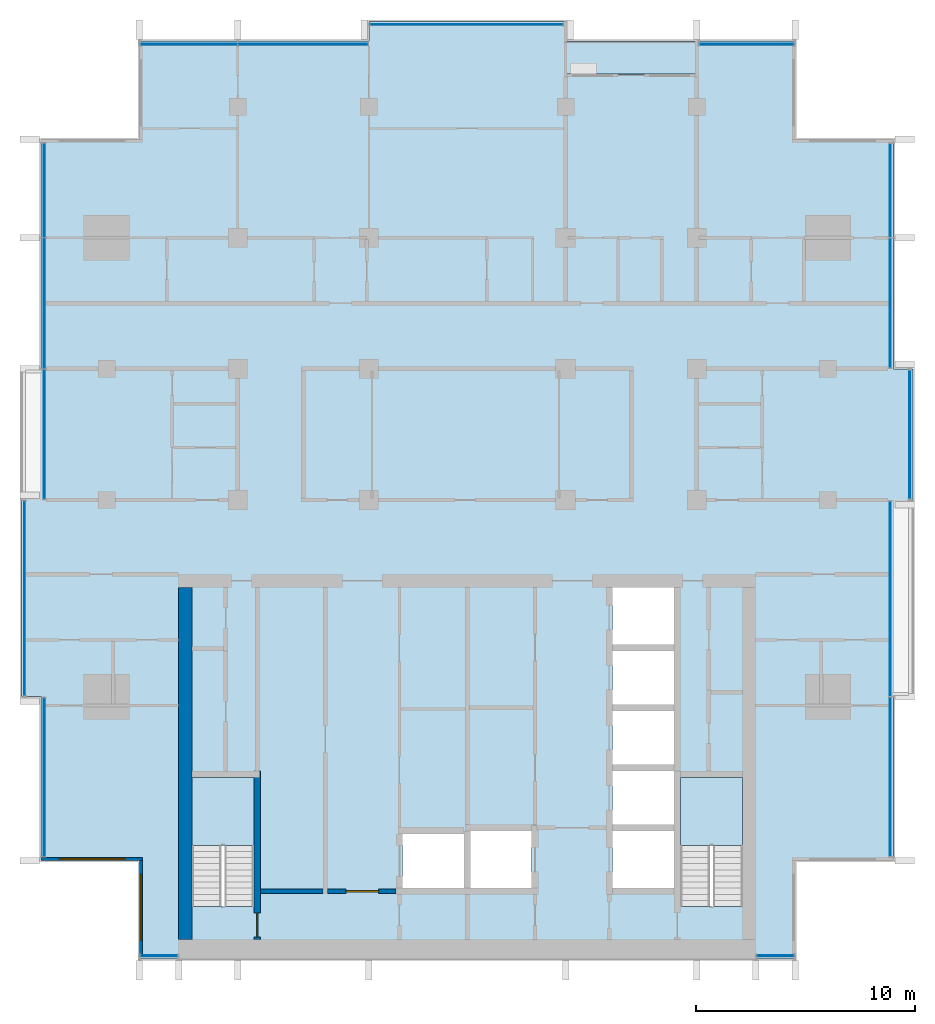
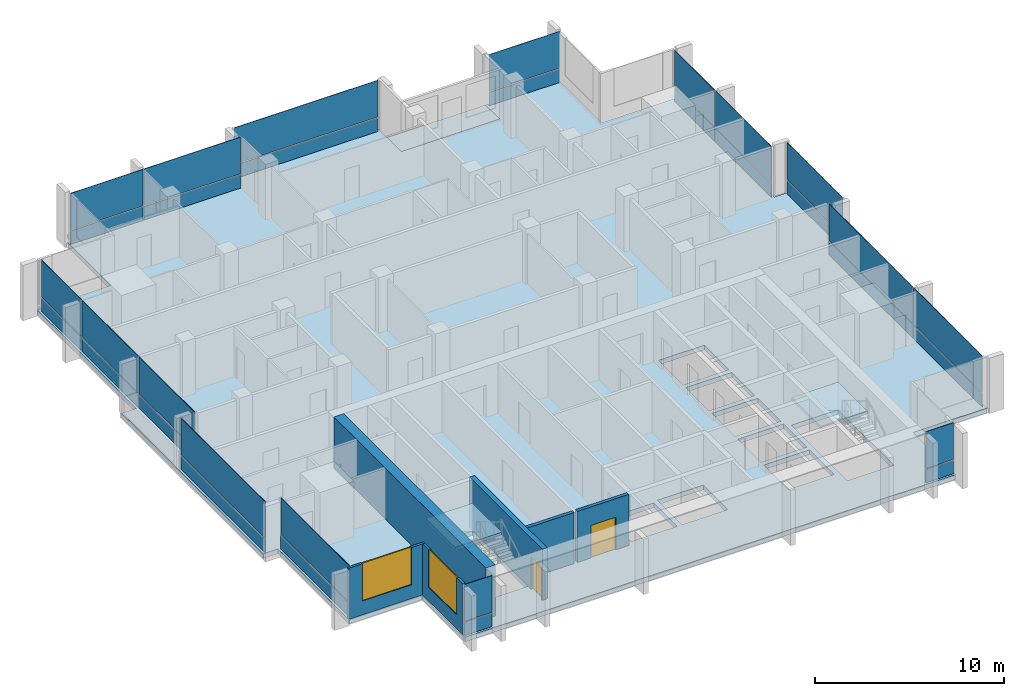
# One storey, part 6 of 16: 32 plates, 6 walls, 4 slabs, 2 doors, 2 windows, 4 openings, 13 elements without a shape of their own.
"""IFC4 building model written with IfcOpenShell, lengths in metres."""

from ifc_helpers import new_model, si_unit, direction, frame, frame_2d, origin, origin_2d, place, context, subcontext, project, spatial, polyline, rectangle, outline, extrude, material, layer, layer_set, type_object, element, fill, aggregate, save


model = new_model("IFC4")

# Units and contexts
model_context = context("Model", 3, precision=1e-05, world=origin(), true_north=direction((0.0, 1.0)))
body_context = subcontext(model_context, "Body", "Model", "MODEL_VIEW")
ifc_project = project(units=[si_unit("LENGTHUNIT", "METRE"), si_unit("AREAUNIT", "SQUARE_METRE"), si_unit("VOLUMEUNIT", "CUBIC_METRE"), si_unit("PLANEANGLEUNIT", "RADIAN"), si_unit("MASSUNIT", "GRAM", prefix="KILO")], contexts=[model_context])

# Site, building, storey
site_placement = place(None, origin())
site = spatial("IfcSite", under=ifc_project, at=site_placement, CompositionType="ELEMENT")
building_placement = place(site_placement, origin())
building = spatial("IfcBuilding", under=site, at=building_placement, Name="Finial Court Residences", CompositionType="ELEMENT")
storey_placement = place(building_placement, frame((0.0, 0.0, 241.10009765625)))
storey = spatial("IfcBuildingStorey", under=building, at=storey_placement, Name="L61", CompositionType="ELEMENT", Elevation=241.10009765625)

# Slab
ifc_material_1 = material(Name="Concrete C35/45", Category="concrete")
ifc_layer_1 = layer(ifc_material_1, 0.199951171875)
ifc_layer_set_1 = layer_set([ifc_layer_1], Name="Balcony slab, Concrete C35/45 200")
slab_type_1 = type_object("IfcSlabType", Name="Balcony slab, Concrete C35/45 200", PredefinedType="FLOOR", material=ifc_layer_set_1)
slab_1_placement = place(storey_placement, frame((0.0, 0.0, -0.2001953125)))
element("IfcSlab", 1, at=slab_1_placement, inside=storey, type_object=slab_type_1, Name="Balcony L61-N4", PredefinedType="FLOOR", context=body_context, shape_type="SweptSolid", body=[
    extrude(outline(polyline([(10.5, 15.0), (10.5, 16.5), (4.5, 16.5), (4.5, 15.0), (10.5, 15.0)])), origin(), (0.0, 0.0, 1.0), 0.2001953125),
])

# Curtain wall, plates
ifc_material_2 = material(Name="Bronze anodised aluminium", Category="aluminium")
curtain_wall_type = type_object("IfcCurtainWallType", Name="Unitised curtain wall, upper zones", PredefinedType="NOTDEFINED", material=ifc_material_2)
curtain_wall_1_placement = place(storey_placement, origin())
curtain_wall_1 = element("IfcCurtainWall", 2, at=curtain_wall_1_placement, inside=storey, type_object=curtain_wall_type, Name="E-L61-CW-N1", PredefinedType="NOTDEFINED")
ifc_layer_2 = layer(ifc_material_2, 0.035888671875)
ifc_layer_set_2 = layer_set([ifc_layer_2], Name="CW2 spandrel panel 36")
plate_type_1 = type_object("IfcPlateType", Name="CW2 spandrel panel 36", PredefinedType="CURTAIN_PANEL", material=ifc_layer_set_2)
plate_1_placement = place(storey_placement, frame((-12.735107421875, 16.35009765625, -0.000244140625), z_axis=(0.0, 0.0, 1.0), x_axis=(1.0, 0.0, 0.0)))
plate_1 = element("IfcPlate", 3, at=plate_1_placement, type_object=plate_type_1, Name="CW2 spandrel 1.1", PredefinedType="CURTAIN_PANEL", context=body_context, shape_type="SweptSolid", body=[
    extrude(rectangle(XDim=4.409912109375, YDim=0.035888671875, at=origin_2d()), origin(), (0.0, 0.0, 1.0), 0.8701171875),
])
plate_2_placement = place(storey_placement, frame((-7.514892578125, 16.35009765625, -0.000244140625), z_axis=(0.0, 0.0, 1.0), x_axis=(1.0, 0.0, 0.0)))
plate_2 = element("IfcPlate", 4, at=plate_2_placement, type_object=plate_type_1, Name="CW2 spandrel 2.1", PredefinedType="CURTAIN_PANEL", context=body_context, shape_type="SweptSolid", body=[
    extrude(rectangle(XDim=5.909912109375, YDim=0.035888671875, at=origin_2d()), origin(), (0.0, 0.0, 1.0), 0.8701171875),
])

# Curtain wall, plate
curtain_wall_2_placement = place(storey_placement, origin())
curtain_wall_2 = element("IfcCurtainWall", 5, at=curtain_wall_2_placement, inside=storey, type_object=curtain_wall_type, Name="E-L61-CW-N2", PredefinedType="NOTDEFINED")
plate_3_placement = place(storey_placement, frame((-0.03759765625, 17.25, -0.000244140625), z_axis=(0.0, 0.0, 1.0), x_axis=(1.0, 0.0, 0.0)))
plate_3 = element("IfcPlate", 6, at=plate_3_placement, type_object=plate_type_1, Name="CW2 spandrel 1.1", PredefinedType="CURTAIN_PANEL", context=body_context, shape_type="SweptSolid", body=[
    extrude(rectangle(XDim=8.804931640625, YDim=0.035888671875, at=origin_2d()), origin(), (0.0, 0.0, 1.0), 0.8701171875),
])

curtain_wall_3_placement = place(storey_placement, origin())
curtain_wall_3 = element("IfcCurtainWall", 7, at=curtain_wall_3_placement, inside=storey, type_object=curtain_wall_type, Name="E-L61-CW-N3", PredefinedType="NOTDEFINED")
plate_4_placement = place(storey_placement, frame((12.78759765625, 16.35009765625, -0.000244140625), z_axis=(0.0, 0.0, 1.0), x_axis=(1.0, 0.0, 0.0)))
plate_4 = element("IfcPlate", 8, at=plate_4_placement, type_object=plate_type_1, Name="CW2 spandrel 1.1", PredefinedType="CURTAIN_PANEL", context=body_context, shape_type="SweptSolid", body=[
    extrude(rectangle(XDim=4.304931640625, YDim=0.035888671875, at=origin_2d()), origin(), (0.0, 0.0, 1.0), 0.8701171875),
])

# Curtain wall, plates
curtain_wall_4_placement = place(storey_placement, origin())
curtain_wall_4 = element("IfcCurtainWall", 9, at=curtain_wall_4_placement, inside=storey, type_object=curtain_wall_type, Name="E-L61-CW-E4", PredefinedType="NOTDEFINED")
plate_5_placement = place(storey_placement, frame((19.35009765625, -17.159912109375, -0.000244140625), z_axis=(0.0, 0.0, 1.0), x_axis=(0.0, 1.0, 0.0)))
plate_5 = element("IfcPlate", 10, at=plate_5_placement, type_object=plate_type_1, Name="CW2 spandrel 1.1", PredefinedType="CURTAIN_PANEL", context=body_context, shape_type="SweptSolid", body=[
    extrude(rectangle(XDim=7.260009765625, YDim=0.035888671875, at=origin_2d()), origin(), (0.0, 0.0, 1.0), 0.8701171875),
])
plate_6_placement = place(storey_placement, frame((19.35009765625, -9.014892578125, -0.000244140625), z_axis=(0.0, 0.0, 1.0), x_axis=(0.0, 1.0, 0.0)))
plate_6 = element("IfcPlate", 11, at=plate_6_placement, type_object=plate_type_1, Name="CW2 spandrel 2.1", PredefinedType="CURTAIN_PANEL", context=body_context, shape_type="SweptSolid", body=[
    extrude(rectangle(XDim=8.909912109375, YDim=0.035888671875, at=origin_2d()), origin(), (0.0, 0.0, 1.0), 0.8701171875),
])

# Curtain wall, plate
curtain_wall_5_placement = place(storey_placement, origin())
curtain_wall_5 = element("IfcCurtainWall", 12, at=curtain_wall_5_placement, inside=storey, type_object=curtain_wall_type, Name="E-L61-CW-E5", PredefinedType="NOTDEFINED")
plate_7_placement = place(storey_placement, frame((20.25, -1.5, -0.000244140625), z_axis=(0.0, 0.0, 1.0), x_axis=(0.0, 1.0, 0.0)))
plate_7 = element("IfcPlate", 13, at=plate_7_placement, type_object=plate_type_1, Name="CW2 spandrel 1.1", PredefinedType="CURTAIN_PANEL", context=body_context, shape_type="SweptSolid", body=[
    extrude(rectangle(XDim=5.8798828125, YDim=0.035888671875, at=origin_2d()), origin(), (0.0, 0.0, 1.0), 0.8701171875),
])

# Curtain wall, plates
curtain_wall_6_placement = place(storey_placement, origin())
curtain_wall_6 = element("IfcCurtainWall", 14, at=curtain_wall_6_placement, inside=storey, type_object=curtain_wall_type, Name="E-L61-CW-E6", PredefinedType="NOTDEFINED")
plate_8_placement = place(storey_placement, frame((19.35009765625, 4.514892578125, -0.000244140625), z_axis=(0.0, 0.0, 1.0), x_axis=(0.0, 1.0, 0.0)))
plate_8 = element("IfcPlate", 15, at=plate_8_placement, type_object=plate_type_1, Name="CW2 spandrel 1.1", PredefinedType="CURTAIN_PANEL", context=body_context, shape_type="SweptSolid", body=[
    extrude(rectangle(XDim=5.909912109375, YDim=0.035888671875, at=origin_2d()), origin(), (0.0, 0.0, 1.0), 0.8701171875),
])
plate_9_placement = place(storey_placement, frame((19.35009765625, 9.659912109375, -0.000244140625), z_axis=(0.0, 0.0, 1.0), x_axis=(0.0, 1.0, 0.0)))
plate_9 = element("IfcPlate", 16, at=plate_9_placement, type_object=plate_type_1, Name="CW2 spandrel 2.1", PredefinedType="CURTAIN_PANEL", context=body_context, shape_type="SweptSolid", body=[
    extrude(rectangle(XDim=4.260009765625, YDim=0.035888671875, at=origin_2d()), origin(), (0.0, 0.0, 1.0), 0.8701171875),
])

# Curtain wall, plate
curtain_wall_7_placement = place(storey_placement, origin())
curtain_wall_7 = element("IfcCurtainWall", 17, at=curtain_wall_7_placement, inside=storey, type_object=curtain_wall_type, Name="E-L61-CW-S7", PredefinedType="NOTDEFINED")
plate_10_placement = place(storey_placement, frame((-14.10009765625, -25.35009765625, -0.000244140625), z_axis=(0.0, 0.0, 1.0), x_axis=(1.0, 0.0, 0.0)))
plate_10 = element("IfcPlate", 18, at=plate_10_placement, type_object=plate_type_1, Name="CW2 spandrel 1.1", PredefinedType="CURTAIN_PANEL", context=body_context, shape_type="SweptSolid", body=[
    extrude(rectangle(XDim=1.679931640625, YDim=0.035888671875, at=origin_2d()), origin(), (0.0, 0.0, 1.0), 0.8701171875),
])

curtain_wall_8_placement = place(storey_placement, origin())
curtain_wall_8 = element("IfcCurtainWall", 19, at=curtain_wall_8_placement, inside=storey, type_object=curtain_wall_type, Name="E-L61-CW-S8", PredefinedType="NOTDEFINED")
plate_11_placement = place(storey_placement, frame((14.10009765625, -25.35009765625, -0.000244140625), z_axis=(0.0, 0.0, 1.0), x_axis=(1.0, 0.0, 0.0)))
plate_11 = element("IfcPlate", 20, at=plate_11_placement, type_object=plate_type_1, Name="CW2 spandrel 1.1", PredefinedType="CURTAIN_PANEL", context=body_context, shape_type="SweptSolid", body=[
    extrude(rectangle(XDim=1.679931640625, YDim=0.035888671875, at=origin_2d()), origin(), (0.0, 0.0, 1.0), 0.8701171875),
])

curtain_wall_9_placement = place(storey_placement, origin())
curtain_wall_9 = element("IfcCurtainWall", 21, at=curtain_wall_9_placement, inside=storey, type_object=curtain_wall_type, Name="E-L61-CW-W9", PredefinedType="NOTDEFINED")
plate_12_placement = place(storey_placement, frame((-19.35009765625, -17.175048828125, -0.000244140625), z_axis=(0.0, 0.0, 1.0), x_axis=(0.0, 1.0, 0.0)))
plate_12 = element("IfcPlate", 22, at=plate_12_placement, type_object=plate_type_1, Name="CW2 spandrel 1.1", PredefinedType="CURTAIN_PANEL", context=body_context, shape_type="SweptSolid", body=[
    extrude(rectangle(XDim=7.22998046875, YDim=0.035888671875, at=origin_2d()), origin(), (0.0, 0.0, 1.0), 0.8701171875),
])

curtain_wall_10_placement = place(storey_placement, origin())
curtain_wall_10 = element("IfcCurtainWall", 23, at=curtain_wall_10_placement, inside=storey, type_object=curtain_wall_type, Name="E-L61-CW-W10", PredefinedType="NOTDEFINED")
plate_13_placement = place(storey_placement, frame((-20.25, -9.0, -0.000244140625), z_axis=(0.0, 0.0, 1.0), x_axis=(0.0, 1.0, 0.0)))
plate_13 = element("IfcPlate", 24, at=plate_13_placement, type_object=plate_type_1, Name="CW2 spandrel 1.1", PredefinedType="CURTAIN_PANEL", context=body_context, shape_type="SweptSolid", body=[
    extrude(rectangle(XDim=8.8798828125, YDim=0.035888671875, at=origin_2d()), origin(), (0.0, 0.0, 1.0), 0.8701171875),
])

# Curtain wall, plates
curtain_wall_11_placement = place(storey_placement, origin())
curtain_wall_11 = element("IfcCurtainWall", 25, at=curtain_wall_11_placement, inside=storey, type_object=curtain_wall_type, Name="E-L61-CW-W11", PredefinedType="NOTDEFINED")
plate_14_placement = place(storey_placement, frame((-19.35009765625, -1.485107421875, -0.000244140625), z_axis=(0.0, 0.0, 1.0), x_axis=(0.0, 1.0, 0.0)))
plate_14 = element("IfcPlate", 26, at=plate_14_placement, type_object=plate_type_1, Name="CW2 spandrel 1.1", PredefinedType="CURTAIN_PANEL", context=body_context, shape_type="SweptSolid", body=[
    extrude(rectangle(XDim=5.909912109375, YDim=0.035888671875, at=origin_2d()), origin(), (0.0, 0.0, 1.0), 0.8701171875),
])
plate_15_placement = place(storey_placement, frame((-19.35009765625, 4.5, -0.000244140625), z_axis=(0.0, 0.0, 1.0), x_axis=(0.0, 1.0, 0.0)))
plate_15 = element("IfcPlate", 27, at=plate_15_placement, type_object=plate_type_1, Name="CW2 spandrel 2.1", PredefinedType="CURTAIN_PANEL", context=body_context, shape_type="SweptSolid", body=[
    extrude(rectangle(XDim=5.93994140625, YDim=0.035888671875, at=origin_2d()), origin(), (0.0, 0.0, 1.0), 0.8701171875),
])
plate_16_placement = place(storey_placement, frame((-19.35009765625, 9.659912109375, -0.000244140625), z_axis=(0.0, 0.0, 1.0), x_axis=(0.0, 1.0, 0.0)))
plate_16 = element("IfcPlate", 28, at=plate_16_placement, type_object=plate_type_1, Name="CW2 spandrel 3.1", PredefinedType="CURTAIN_PANEL", context=body_context, shape_type="SweptSolid", body=[
    extrude(rectangle(XDim=4.260009765625, YDim=0.035888671875, at=origin_2d()), origin(), (0.0, 0.0, 1.0), 0.8701171875),
])

# Plate
ifc_material_3 = material(Name="Clear low-e glass", Category="glass")
ifc_layer_3 = layer(ifc_material_3, 0.030029296875)
ifc_layer_set_3 = layer_set([ifc_layer_3], Name="CW2 vision glass 30")
plate_type_2 = type_object("IfcPlateType", Name="CW2 vision glass 30", PredefinedType="CURTAIN_PANEL", material=ifc_layer_set_3)
plate_17_placement = place(storey_placement, frame((-12.735107421875, 16.35009765625, 0.929931640625), z_axis=(0.0, 0.0, 1.0), x_axis=(1.0, 0.0, 0.0)))
plate_17 = element("IfcPlate", 29, at=plate_17_placement, type_object=plate_type_2, Name="CW2 glass 1.2", PredefinedType="CURTAIN_PANEL", context=body_context, shape_type="SweptSolid", body=[
    extrude(rectangle(XDim=4.409912109375, YDim=0.030029296875, at=origin_2d()), origin(), (0.0, 0.0, 1.0), 2.3701171875),
])

plate_18_placement = place(storey_placement, frame((-7.514892578125, 16.35009765625, 0.929931640625), z_axis=(0.0, 0.0, 1.0), x_axis=(1.0, 0.0, 0.0)))
plate_18 = element("IfcPlate", 30, at=plate_18_placement, type_object=plate_type_2, Name="CW2 glass 2.2", PredefinedType="CURTAIN_PANEL", context=body_context, shape_type="SweptSolid", body=[
    extrude(rectangle(XDim=5.909912109375, YDim=0.030029296875, at=origin_2d()), origin(), (0.0, 0.0, 1.0), 2.3701171875),
])

aggregate(curtain_wall_1, [plate_1, plate_17, plate_2, plate_18])

plate_19_placement = place(storey_placement, frame((-0.03759765625, 17.25, 0.929931640625), z_axis=(0.0, 0.0, 1.0), x_axis=(1.0, 0.0, 0.0)))
plate_19 = element("IfcPlate", 31, at=plate_19_placement, type_object=plate_type_2, Name="CW2 glass 1.2", PredefinedType="CURTAIN_PANEL", context=body_context, shape_type="SweptSolid", body=[
    extrude(rectangle(XDim=8.804931640625, YDim=0.030029296875, at=origin_2d()), origin(), (0.0, 0.0, 1.0), 2.3701171875),
])

aggregate(curtain_wall_2, [plate_3, plate_19])

plate_20_placement = place(storey_placement, frame((12.78759765625, 16.35009765625, 0.929931640625), z_axis=(0.0, 0.0, 1.0), x_axis=(1.0, 0.0, 0.0)))
plate_20 = element("IfcPlate", 32, at=plate_20_placement, type_object=plate_type_2, Name="CW2 glass 1.2", PredefinedType="CURTAIN_PANEL", context=body_context, shape_type="SweptSolid", body=[
    extrude(rectangle(XDim=4.304931640625, YDim=0.030029296875, at=origin_2d()), origin(), (0.0, 0.0, 1.0), 2.3701171875),
])

aggregate(curtain_wall_3, [plate_4, plate_20])

plate_21_placement = place(storey_placement, frame((19.35009765625, -17.159912109375, 0.929931640625), z_axis=(0.0, 0.0, 1.0), x_axis=(0.0, 1.0, 0.0)))
plate_21 = element("IfcPlate", 33, at=plate_21_placement, type_object=plate_type_2, Name="CW2 glass 1.2", PredefinedType="CURTAIN_PANEL", context=body_context, shape_type="SweptSolid", body=[
    extrude(rectangle(XDim=7.260009765625, YDim=0.030029296875, at=origin_2d()), origin(), (0.0, 0.0, 1.0), 2.3701171875),
])

plate_22_placement = place(storey_placement, frame((19.35009765625, -9.014892578125, 0.929931640625), z_axis=(0.0, 0.0, 1.0), x_axis=(0.0, 1.0, 0.0)))
plate_22 = element("IfcPlate", 34, at=plate_22_placement, type_object=plate_type_2, Name="CW2 glass 2.2", PredefinedType="CURTAIN_PANEL", context=body_context, shape_type="SweptSolid", body=[
    extrude(rectangle(XDim=8.909912109375, YDim=0.030029296875, at=origin_2d()), origin(), (0.0, 0.0, 1.0), 2.3701171875),
])

aggregate(curtain_wall_4, [plate_5, plate_21, plate_6, plate_22])

plate_23_placement = place(storey_placement, frame((20.25, -1.5, 0.929931640625), z_axis=(0.0, 0.0, 1.0), x_axis=(0.0, 1.0, 0.0)))
plate_23 = element("IfcPlate", 35, at=plate_23_placement, type_object=plate_type_2, Name="CW2 glass 1.2", PredefinedType="CURTAIN_PANEL", context=body_context, shape_type="SweptSolid", body=[
    extrude(rectangle(XDim=5.8798828125, YDim=0.030029296875, at=origin_2d()), origin(), (0.0, 0.0, 1.0), 2.3701171875),
])

aggregate(curtain_wall_5, [plate_7, plate_23])

plate_24_placement = place(storey_placement, frame((19.35009765625, 4.514892578125, 0.929931640625), z_axis=(0.0, 0.0, 1.0), x_axis=(0.0, 1.0, 0.0)))
plate_24 = element("IfcPlate", 36, at=plate_24_placement, type_object=plate_type_2, Name="CW2 glass 1.2", PredefinedType="CURTAIN_PANEL", context=body_context, shape_type="SweptSolid", body=[
    extrude(rectangle(XDim=5.909912109375, YDim=0.030029296875, at=origin_2d()), origin(), (0.0, 0.0, 1.0), 2.3701171875),
])

plate_25_placement = place(storey_placement, frame((19.35009765625, 9.659912109375, 0.929931640625), z_axis=(0.0, 0.0, 1.0), x_axis=(0.0, 1.0, 0.0)))
plate_25 = element("IfcPlate", 37, at=plate_25_placement, type_object=plate_type_2, Name="CW2 glass 2.2", PredefinedType="CURTAIN_PANEL", context=body_context, shape_type="SweptSolid", body=[
    extrude(rectangle(XDim=4.260009765625, YDim=0.030029296875, at=origin_2d()), origin(), (0.0, 0.0, 1.0), 2.3701171875),
])

aggregate(curtain_wall_6, [plate_8, plate_24, plate_9, plate_25])

plate_26_placement = place(storey_placement, frame((-14.10009765625, -25.35009765625, 0.929931640625), z_axis=(0.0, 0.0, 1.0), x_axis=(1.0, 0.0, 0.0)))
plate_26 = element("IfcPlate", 38, at=plate_26_placement, type_object=plate_type_2, Name="CW2 glass 1.2", PredefinedType="CURTAIN_PANEL", context=body_context, shape_type="SweptSolid", body=[
    extrude(rectangle(XDim=1.679931640625, YDim=0.030029296875, at=origin_2d()), origin(), (0.0, 0.0, 1.0), 2.3701171875),
])

aggregate(curtain_wall_7, [plate_10, plate_26])

plate_27_placement = place(storey_placement, frame((14.10009765625, -25.35009765625, 0.929931640625), z_axis=(0.0, 0.0, 1.0), x_axis=(1.0, 0.0, 0.0)))
plate_27 = element("IfcPlate", 39, at=plate_27_placement, type_object=plate_type_2, Name="CW2 glass 1.2", PredefinedType="CURTAIN_PANEL", context=body_context, shape_type="SweptSolid", body=[
    extrude(rectangle(XDim=1.679931640625, YDim=0.030029296875, at=origin_2d()), origin(), (0.0, 0.0, 1.0), 2.3701171875),
])

aggregate(curtain_wall_8, [plate_11, plate_27])

plate_28_placement = place(storey_placement, frame((-19.35009765625, -17.175048828125, 0.929931640625), z_axis=(0.0, 0.0, 1.0), x_axis=(0.0, 1.0, 0.0)))
plate_28 = element("IfcPlate", 40, at=plate_28_placement, type_object=plate_type_2, Name="CW2 glass 1.2", PredefinedType="CURTAIN_PANEL", context=body_context, shape_type="SweptSolid", body=[
    extrude(rectangle(XDim=7.22998046875, YDim=0.030029296875, at=origin_2d()), origin(), (0.0, 0.0, 1.0), 2.3701171875),
])

aggregate(curtain_wall_9, [plate_12, plate_28])

plate_29_placement = place(storey_placement, frame((-20.25, -9.0, 0.929931640625), z_axis=(0.0, 0.0, 1.0), x_axis=(0.0, 1.0, 0.0)))
plate_29 = element("IfcPlate", 41, at=plate_29_placement, type_object=plate_type_2, Name="CW2 glass 1.2", PredefinedType="CURTAIN_PANEL", context=body_context, shape_type="SweptSolid", body=[
    extrude(rectangle(XDim=8.8798828125, YDim=0.030029296875, at=origin_2d()), origin(), (0.0, 0.0, 1.0), 2.3701171875),
])

aggregate(curtain_wall_10, [plate_13, plate_29])

plate_30_placement = place(storey_placement, frame((-19.35009765625, -1.485107421875, 0.929931640625), z_axis=(0.0, 0.0, 1.0), x_axis=(0.0, 1.0, 0.0)))
plate_30 = element("IfcPlate", 42, at=plate_30_placement, type_object=plate_type_2, Name="CW2 glass 1.2", PredefinedType="CURTAIN_PANEL", context=body_context, shape_type="SweptSolid", body=[
    extrude(rectangle(XDim=5.909912109375, YDim=0.030029296875, at=origin_2d()), origin(), (0.0, 0.0, 1.0), 2.3701171875),
])

plate_31_placement = place(storey_placement, frame((-19.35009765625, 4.5, 0.929931640625), z_axis=(0.0, 0.0, 1.0), x_axis=(0.0, 1.0, 0.0)))
plate_31 = element("IfcPlate", 43, at=plate_31_placement, type_object=plate_type_2, Name="CW2 glass 2.2", PredefinedType="CURTAIN_PANEL", context=body_context, shape_type="SweptSolid", body=[
    extrude(rectangle(XDim=5.93994140625, YDim=0.030029296875, at=origin_2d()), origin(), (0.0, 0.0, 1.0), 2.3701171875),
])

plate_32_placement = place(storey_placement, frame((-19.35009765625, 9.659912109375, 0.929931640625), z_axis=(0.0, 0.0, 1.0), x_axis=(0.0, 1.0, 0.0)))
plate_32 = element("IfcPlate", 44, at=plate_32_placement, type_object=plate_type_2, Name="CW2 glass 3.2", PredefinedType="CURTAIN_PANEL", context=body_context, shape_type="SweptSolid", body=[
    extrude(rectangle(XDim=4.260009765625, YDim=0.030029296875, at=origin_2d()), origin(), (0.0, 0.0, 1.0), 2.3701171875),
])

aggregate(curtain_wall_11, [plate_14, plate_30, plate_15, plate_31, plate_16, plate_32])

# Stair, slab
ifc_material_4 = material(Name="Concrete C50/60", Category="concrete")
stair_type = type_object("IfcStairType", Name="Exit stair 22 risers of 163.6 mm", PredefinedType="HALF_TURN_STAIR", material=ifc_material_4)
stair_1_placement = place(storey_placement, origin())
stair_1 = element("IfcStair", 45, at=stair_1_placement, inside=storey, type_object=stair_type, Name="L61 Exit stair ST-1", PredefinedType="HALF_TURN_STAIR")
ifc_layer_4 = layer(ifc_material_4, 0.199951171875)
ifc_layer_set_4 = layer_set([ifc_layer_4], Name="Exit stair landing")
slab_type_2 = type_object("IfcSlabType", Name="Exit stair landing", PredefinedType="LANDING", material=ifc_layer_set_4)
slab_2_placement = place(storey_placement, frame((0.0, 0.0, 1.599853515625)))
slab_2 = element("IfcSlab", 46, at=slab_2_placement, type_object=slab_type_2, Name="ST-1 landing 1", PredefinedType="LANDING", context=body_context, shape_type="SweptSolid", body=[
    extrude(outline(polyline([(-9.75, -20.300048828125), (-9.75, -17.199951171875), (-12.60009765625, -17.199951171875), (-12.60009765625, -20.300048828125), (-9.75, -20.300048828125)])), origin(), (0.0, 0.0, 1.0), 0.199951171875),
])
aggregate(stair_1, [slab_2])

stair_2_placement = place(storey_placement, origin())
stair_2 = element("IfcStair", 47, at=stair_2_placement, inside=storey, type_object=stair_type, Name="L61 Exit stair ST-2", PredefinedType="HALF_TURN_STAIR")
slab_3_placement = place(storey_placement, frame((0.0, 0.0, 1.599853515625)))
slab_3 = element("IfcSlab", 48, at=slab_3_placement, type_object=slab_type_2, Name="ST-2 landing 1", PredefinedType="LANDING", context=body_context, shape_type="SweptSolid", body=[
    extrude(outline(polyline([(12.60009765625, -20.300048828125), (12.60009765625, -17.199951171875), (9.75, -17.199951171875), (9.75, -20.300048828125), (12.60009765625, -20.300048828125)])), origin(), (0.0, 0.0, 1.0), 0.199951171875),
])
aggregate(stair_2, [slab_3])

# Slab
ifc_material_5 = material(Name="Concrete C40/50", Category="concrete")
ifc_layer_5 = layer(ifc_material_5, 0.300048828125)
ifc_layer_set_5 = layer_set([ifc_layer_5], Name="Flat plate slab 300 Concrete C40/50")
slab_type_3 = type_object("IfcSlabType", Name="Flat plate slab 300 Concrete C40/50", PredefinedType="FLOOR", material=ifc_layer_set_5)
slab_4_placement = place(storey_placement, frame((0.0, 0.0, -0.300048828125)))
element("IfcSlab", 49, at=slab_4_placement, inside=storey, type_object=slab_type_3, Name="S:SLAB:L61", PredefinedType="FLOOR", context=body_context, shape_type="SweptSolid", body=[
    extrude(outline(polyline([(20.39990234375, -13.5), (19.5, -13.5), (19.5, -21.0), (15.0, -21.0), (15.0, -25.5), (-15.0, -25.5), (-15.0, -21.0), (-19.5, -21.0), (-19.5, -13.5), (-20.39990234375, -13.5), (-20.39990234375, -4.5), (-20.39990234375, 1.5), (-19.5, 1.5), (-19.5, 12.0), (-15.0, 12.0), (-15.0, 16.5), (-4.5, 16.5), (-4.5, 17.39990234375), (4.5, 17.39990234375), (4.5, 16.5), (4.5, 15.0), (10.5, 15.0), (10.5, 16.5), (15.0, 16.5), (15.0, 12.0), (19.5, 12.0), (19.5, 1.5), (20.39990234375, 1.5), (20.39990234375, -4.5), (20.39990234375, -13.5)]), holes=[polyline([(-0.14990234375, -19.77001953125), (-2.949951171875, -19.77001953125), (-2.949951171875, -22.25), (-0.14990234375, -22.25), (-0.14990234375, -19.77001953125)]), polyline([(2.949951171875, -19.64990234375), (0.14990234375, -19.64990234375), (0.14990234375, -22.25), (2.949951171875, -22.25), (2.949951171875, -19.64990234375)]), polyline([(9.449951171875, -19.64990234375), (6.64990234375, -19.64990234375), (6.64990234375, -22.25), (9.449951171875, -22.25), (9.449951171875, -19.64990234375)]), polyline([(-12.60009765625, -17.199951171875), (-12.60009765625, -23.09912109375), (-9.75, -23.09912109375), (-9.75, -17.199951171875), (-12.60009765625, -17.199951171875)]), polyline([(9.75, -17.199951171875), (9.75, -23.09912109375), (12.60009765625, -23.09912109375), (12.60009765625, -17.199951171875), (9.75, -17.199951171875)]), polyline([(9.449951171875, -16.89990234375), (6.64990234375, -16.89990234375), (6.64990234375, -19.35009765625), (9.449951171875, -19.35009765625), (9.449951171875, -16.89990234375)]), polyline([(9.449951171875, -14.14990234375), (6.64990234375, -14.14990234375), (6.64990234375, -16.60009765625), (9.449951171875, -16.60009765625), (9.449951171875, -14.14990234375)]), polyline([(9.449951171875, -13.85009765625), (9.449951171875, -11.39990234375), (6.64990234375, -11.39990234375), (6.64990234375, -13.85009765625), (9.449951171875, -13.85009765625)]), polyline([(9.449951171875, -11.10009765625), (9.449951171875, -8.5), (6.64990234375, -8.5), (6.64990234375, -11.10009765625), (9.449951171875, -11.10009765625)])]), origin(), (0.0, 0.0, 1.0), 0.300048828125),
])

# Wall
ifc_material_6 = material(Name="Concrete C60/75", Category="concrete")
ifc_layer_6 = layer(ifc_material_6, 0.60009765625)
ifc_layer_set_6 = layer_set([ifc_layer_6], Name="Core outer wall 600 Concrete C60/75")
wall_type_1 = type_object("IfcWallType", Name="Core outer wall 600 Concrete C60/75", PredefinedType="SHEAR", material=ifc_layer_set_6)
wall_1_placement = place(storey_placement, frame((-12.89990234375, -24.60009765625, 0.0), z_axis=(0.0, 0.0, 1.0), x_axis=(0.0, 1.0, 0.0)))
element("IfcWall", 50, at=wall_1_placement, inside=storey, type_object=wall_type_1, Name="Core outer wall L61-03", PredefinedType="SHEAR", context=body_context, shape_type="SweptSolid", body=[
    extrude(rectangle(XDim=16.10009765625, YDim=0.60009765625, at=frame_2d((8.050048828125, 0.0))), origin(), (0.0, 0.0, 1.0), 3.2998046875),
])

# Wall, opening, door
ifc_layer_7 = layer(ifc_material_6, 0.300048828125)
ifc_layer_set_7 = layer_set([ifc_layer_7], Name="Lift shaft and stair wall 300 Concrete C60/75")
wall_type_2 = type_object("IfcWallType", Name="Lift shaft and stair wall 300 Concrete C60/75", PredefinedType="SHEAR", material=ifc_layer_set_7)
wall_2_placement = place(storey_placement, frame((-9.60009765625, -24.60009765625, 0.0), z_axis=(0.0, 0.0, 1.0), x_axis=(0.0, 1.0, 0.0)))
wall_2 = element("IfcWall", 51, at=wall_2_placement, inside=storey, type_object=wall_type_2, Name="Core wall L61-20", PredefinedType="SHEAR", context=body_context, shape_type="SweptSolid", body=[
    extrude(rectangle(XDim=7.7001953125, YDim=0.300048828125, at=frame_2d((3.85009765625, 0.0))), origin(), (0.0, 0.0, 1.0), 3.2998046875),
])
opening_1_placement = place(wall_2_placement, frame((0.10009765625, 0.0, 0.0)))
opening_1 = element("IfcOpeningElement", 52, at=opening_1_placement, cuts=wall_2, Name="Opening L61-C19", PredefinedType="OPENING", context=body_context, shape_type="SweptSolid", body=[
    extrude(rectangle(XDim=1.10009765625, YDim=2.10009765625, at=frame_2d((0.550048828125, 1.050048828125))), frame((0.0, 0.159912109375, 0.0), z_axis=(0.0, -1.0, 0.0), x_axis=(1.0, 0.0, 0.0)), (0.0, 0.0, 1.0), 0.320068359375),
])
ifc_material_7 = material(Name="Steel fire door", Category="steel")
door_type_1 = type_object("IfcDoorType", Name="Stair door 1100 x 2100 EI 90", OperationType="NOTDEFINED", PredefinedType="DOOR", material=ifc_material_7)
door_1_placement = place(opening_1_placement, origin())
door_1 = element("IfcDoor", 53, at=door_1_placement, inside=storey, type_object=door_type_1, Name="Stair door L61-C19", OperationType="SINGLE_SWING_LEFT", OverallHeight=2.10009765625, OverallWidth=1.10009765625, PredefinedType="DOOR", context=body_context, shape_type="SweptSolid", body=[
    extrude(rectangle(XDim=1.10009765625, YDim=2.10009765625, at=frame_2d((0.550048828125, 1.050048828125))), frame((0.0, 0.02490234375, 0.0), z_axis=(0.0, -1.0, 0.0), x_axis=(1.0, 0.0, 0.0)), (0.0, 0.0, 1.0), 0.050048828125),
])
fill(opening_1, door_1)

# Wall, opening, window
ifc_material_8 = material(Name="Natural limestone", Category="masonry")
ifc_layer_8 = layer(ifc_material_8, 0.14990234375)
ifc_layer_set_8 = layer_set([ifc_layer_8], Name="Limestone clad wall 150")
wall_type_3 = type_object("IfcWallType", Name="Limestone clad wall 150", PredefinedType="SOLIDWALL", material=ifc_layer_set_8)
wall_3_placement = place(storey_placement, frame((-14.925048828125, -25.262451171875, 0.0), z_axis=(0.0, 0.0, 1.0), x_axis=(0.0, 1.0, 0.0)))
wall_3 = element("IfcWall", 54, at=wall_3_placement, inside=storey, type_object=wall_type_3, Name="E-L61-NWW12", PredefinedType="SOLIDWALL", context=body_context, shape_type="SweptSolid", body=[
    extrude(rectangle(XDim=4.262451171875, YDim=0.14990234375, at=frame_2d((2.13134765625, 0.0))), origin(), (0.0, 0.0, 1.0), 3.2998046875),
])
opening_2_placement = place(wall_3_placement, frame((0.631103515625, 0.0, 0.89990234375)))
opening_2 = element("IfcOpeningElement", 55, at=opening_2_placement, cuts=wall_3, Name="Opening WE61-01", PredefinedType="OPENING", context=body_context, shape_type="SweptSolid", body=[
    extrude(rectangle(XDim=3.0, YDim=2.39990234375, at=frame_2d((1.5, 1.199951171875))), frame((0.0, 0.0849609375, 0.0), z_axis=(0.0, -1.0, 0.0), x_axis=(1.0, 0.0, 0.0)), (0.0, 0.0, 1.0), 0.169921875),
])
window_type = type_object("IfcWindowType", Name="Corner window 3000 x 2400", PartitioningType="SINGLE_PANEL", PredefinedType="WINDOW", material=ifc_material_3)
window_1_placement = place(opening_2_placement, origin())
window_1 = element("IfcWindow", 56, at=window_1_placement, inside=storey, type_object=window_type, Name="E-L61-NWW12-W1", OverallHeight=2.39990234375, OverallWidth=3.0, PartitioningType="SINGLE_PANEL", PredefinedType="WINDOW", context=body_context, shape_type="SweptSolid", body=[
    extrude(rectangle(XDim=3.0, YDim=2.39990234375, at=frame_2d((1.5, 1.199951171875))), frame((0.0, 0.030029296875, 0.0), z_axis=(0.0, -1.0, 0.0), x_axis=(1.0, 0.0, 0.0)), (0.0, 0.0, 1.0), 0.06005859375),
])
fill(opening_2, window_1)

wall_4_placement = place(storey_placement, frame((-14.85009765625, -20.925048828125, 0.0), z_axis=(0.0, 0.0, 1.0), x_axis=(-1.0, 0.0, 0.0)))
wall_4 = element("IfcWall", 57, at=wall_4_placement, inside=storey, type_object=wall_type_3, Name="E-L61-NWS13", PredefinedType="SOLIDWALL", context=body_context, shape_type="SweptSolid", body=[
    extrude(rectangle(XDim=4.64990234375, YDim=0.14990234375, at=frame_2d((2.324951171875, 0.0))), origin(), (0.0, 0.0, 1.0), 3.2998046875),
])
opening_3_placement = place(wall_4_placement, frame((0.824951171875, 0.0, 0.89990234375)))
opening_3 = element("IfcOpeningElement", 58, at=opening_3_placement, cuts=wall_4, Name="Opening WE61-02", PredefinedType="OPENING", context=body_context, shape_type="SweptSolid", body=[
    extrude(rectangle(XDim=3.0, YDim=2.39990234375, at=frame_2d((1.5, 1.199951171875))), frame((0.0, 0.0849609375, 0.0), z_axis=(0.0, -1.0, 0.0), x_axis=(1.0, 0.0, 0.0)), (0.0, 0.0, 1.0), 0.169921875),
])
window_2_placement = place(opening_3_placement, origin())
window_2 = element("IfcWindow", 59, at=window_2_placement, inside=storey, type_object=window_type, Name="E-L61-NWS13-W1", OverallHeight=2.39990234375, OverallWidth=3.0, PartitioningType="SINGLE_PANEL", PredefinedType="WINDOW", context=body_context, shape_type="SweptSolid", body=[
    extrude(rectangle(XDim=3.0, YDim=2.39990234375, at=frame_2d((1.5, 1.199951171875))), frame((0.0, 0.030029296875, 0.0), z_axis=(0.0, -1.0, 0.0), x_axis=(1.0, 0.0, 0.0)), (0.0, 0.0, 1.0), 0.06005859375),
])
fill(opening_3, window_2)

# Wall
ifc_material_9 = material(Name="Fire-rated gypsum board partition")
ifc_layer_9 = layer(ifc_material_9, 0.199951171875)
ifc_layer_set_9 = layer_set([ifc_layer_9], Name="Riser room wall 200 EI 120")
wall_type_4 = type_object("IfcWallType", Name="Riser room wall 200 EI 120", PredefinedType="PARTITIONING", material=ifc_layer_set_9)
wall_5_placement = place(storey_placement, frame((-9.449951171875, -22.39990234375, 0.0), z_axis=(0.0, 0.0, 1.0), x_axis=(1.0, 0.0, 0.0)))
element("IfcWall", 60, at=wall_5_placement, inside=storey, type_object=wall_type_4, Name="Core partition L61-01", PredefinedType="PARTITIONING", context=body_context, shape_type="SweptSolid", body=[
    extrude(rectangle(XDim=2.849853515625, YDim=0.199951171875, at=frame_2d((1.4248046875, 0.0))), origin(), (0.0, 0.0, 1.0), 3.2998046875),
])

# Wall, opening, door
ifc_layer_10 = layer(ifc_material_9, 0.199951171875)
ifc_layer_set_10 = layer_set([ifc_layer_10], Name="Stair passage wall 200 EI 180")
wall_type_5 = type_object("IfcWallType", Name="Stair passage wall 200 EI 180", PredefinedType="PARTITIONING", material=ifc_layer_set_10)
wall_6_placement = place(storey_placement, frame((-3.25, -22.39990234375, 0.0), z_axis=(0.0, 0.0, 1.0), x_axis=(-1.0, 0.0, 0.0)))
wall_6 = element("IfcWall", 61, at=wall_6_placement, inside=storey, type_object=wall_type_5, Name="Core partition L61-02", PredefinedType="PARTITIONING", context=body_context, shape_type="SweptSolid", body=[
    extrude(rectangle(XDim=3.14990234375, YDim=0.199951171875, at=frame_2d((1.574951171875, 0.0))), origin(), (0.0, 0.0, 1.0), 3.2998046875),
])
opening_4_placement = place(wall_6_placement, frame((0.800048828125, 0.0, 0.0)))
opening_4 = element("IfcOpeningElement", 62, at=opening_4_placement, cuts=wall_6, Name="Opening L61-C03", PredefinedType="OPENING", context=body_context, shape_type="SweptSolid", body=[
    extrude(rectangle(XDim=1.5, YDim=2.10009765625, at=frame_2d((0.75, 1.050048828125))), frame((0.0, 0.10986328125, 0.0), z_axis=(0.0, -1.0, 0.0), x_axis=(1.0, 0.0, 0.0)), (0.0, 0.0, 1.0), 0.219970703125),
])
door_type_2 = type_object("IfcDoorType", Name="Lift lobby door 1500 x 2100 EI 60", OperationType="DOUBLE_DOOR_SINGLE_SWING", PredefinedType="DOOR", material=ifc_material_7)
door_2_placement = place(opening_4_placement, origin())
door_2 = element("IfcDoor", 63, at=door_2_placement, inside=storey, type_object=door_type_2, Name="Lift lobby door L61-C03", OperationType="DOUBLE_DOOR_SINGLE_SWING", OverallHeight=2.10009765625, OverallWidth=1.5, PredefinedType="DOOR", context=body_context, shape_type="SweptSolid", body=[
    extrude(rectangle(XDim=1.5, YDim=2.10009765625, at=frame_2d((0.75, 1.050048828125))), frame((0.0, 0.02490234375, 0.0), z_axis=(0.0, -1.0, 0.0), x_axis=(1.0, 0.0, 0.0)), (0.0, 0.0, 1.0), 0.050048828125),
])
fill(opening_4, door_2)

save(model, "model.ifc")
